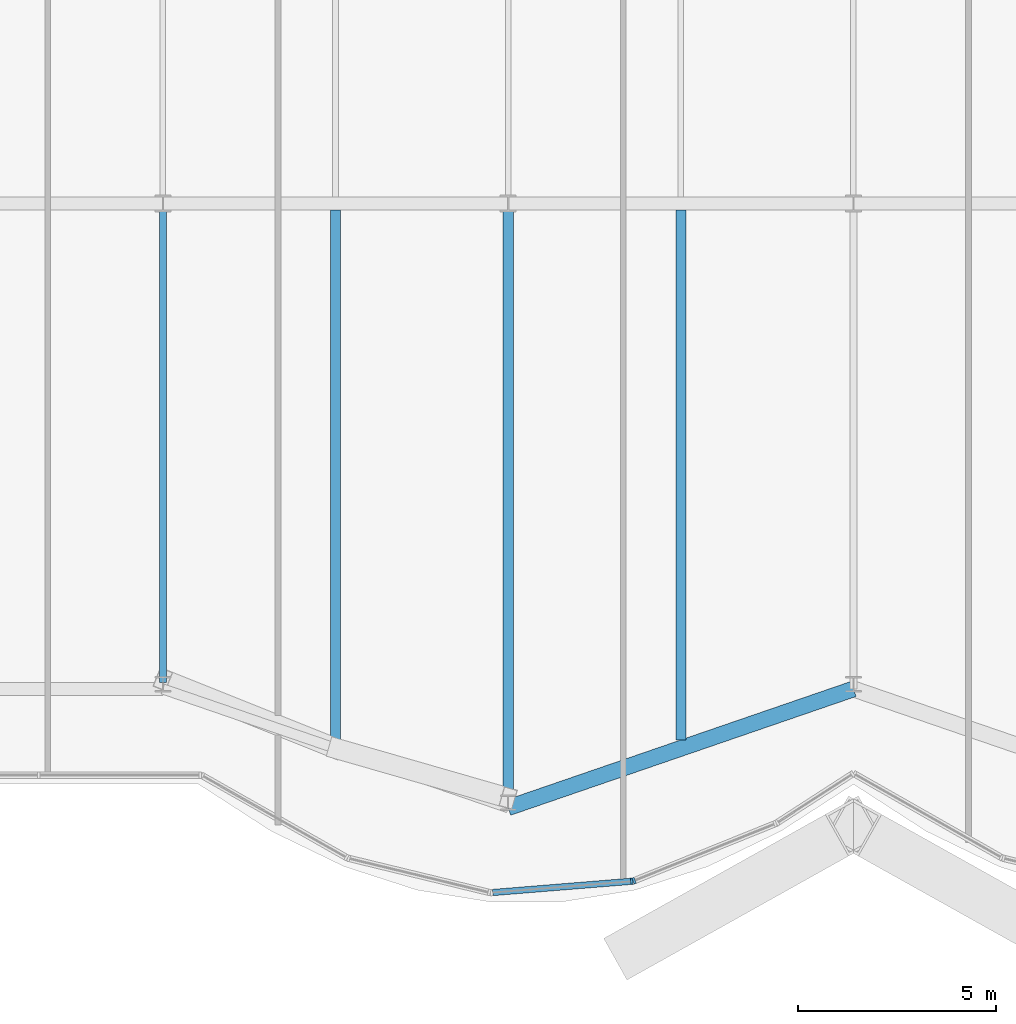
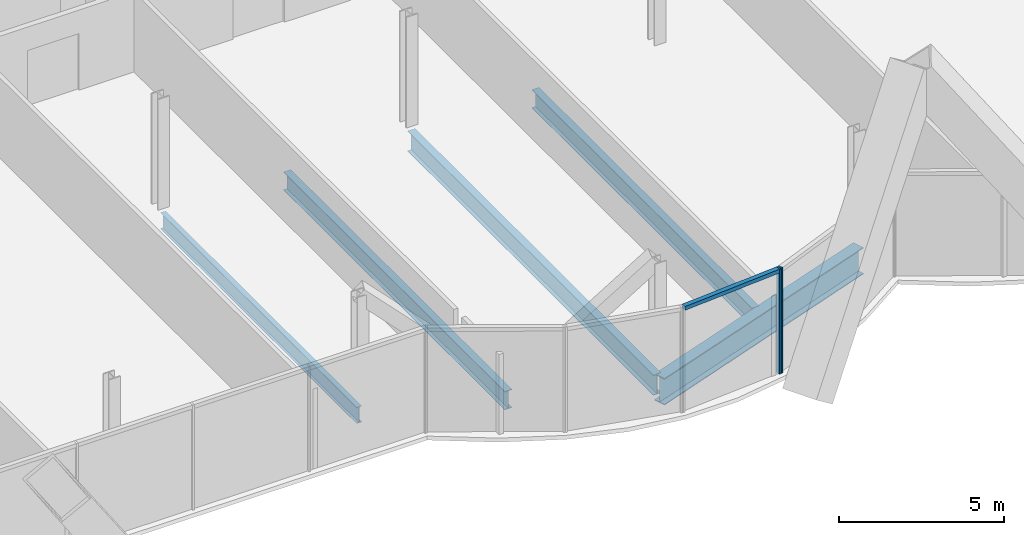
# One storey, part 5 of 21: 5 beams, 3 members, 1 element without a shape of its own.
"""IFC4 building model written with IfcOpenShell, lengths in metres."""

from ifc_helpers import new_model, si_unit, direction, frame, origin, origin_2d, place, context, subcontext, project, spatial, rectangle, i_section, extrude, material, material_profile, profile_set, type_object, element, aggregate, save


model = new_model("IFC4")

# Units and contexts
model_context = context("Model", 3, precision=1e-05, world=origin(), true_north=direction((0.0, 1.0)))
body_context = subcontext(model_context, "Body", "Model", "MODEL_VIEW")
ifc_project = project(units=[si_unit("LENGTHUNIT", "METRE"), si_unit("AREAUNIT", "SQUARE_METRE"), si_unit("VOLUMEUNIT", "CUBIC_METRE"), si_unit("PLANEANGLEUNIT", "RADIAN"), si_unit("MASSUNIT", "GRAM", prefix="KILO")], contexts=[model_context])

# Site, building, storey
site_placement = place(None, origin())
site = spatial("IfcSite", under=ifc_project, at=site_placement, CompositionType="ELEMENT")
building_placement = place(site_placement, origin())
building = spatial("IfcBuilding", under=site, at=building_placement, Name="Bicima Exchange Tower", CompositionType="ELEMENT")
storey_placement = place(building_placement, frame((0.0, 0.0, 130.89990234375)))
storey = spatial("IfcBuildingStorey", under=building, at=storey_placement, Name="L28", CompositionType="ELEMENT", Elevation=130.89990234375)

# Beams
ifc_material_1 = material(Name="Steel ASTM A992 Gr 50", Category="steel")
ifc_material_profile_1 = material_profile(ifc_material_1, i_section(OverallWidth=0.177978515625, OverallDepth=0.599365234375, WebThickness=0.010009765625, FlangeThickness=0.012939453125, at=origin_2d()))
ifc_profile_set_1 = profile_set([ifc_material_profile_1], Name="Steel ASTM A992 Gr 50")
beam_type_1 = type_object("IfcBeamType", Name="Floor beam W24x55", PredefinedType="JOIST", material=ifc_profile_set_1)
beam_1_placement = place(storey_placement, frame((-17.39990234375, -22.16259765625, -0.44970703125), z_axis=(0.0, -1.0, 0.0), x_axis=(1.0, 0.0, 0.0)))
element("IfcBeam", 1, at=beam_1_placement, inside=storey, type_object=beam_type_1, Name="Floor beam", PredefinedType="JOIST", context=body_context, shape_type="SweptSolid", body=[
    extrude(i_section(OverallWidth=0.177978515625, OverallDepth=0.599365234375, WebThickness=0.010009765625, FlangeThickness=0.012939453125, at=origin_2d()), origin(), (0.0, 0.0, 1.0), 11.90673828125),
])
ifc_material_profile_2 = material_profile(ifc_material_1, i_section(OverallWidth=0.25390625, OverallDepth=0.67822265625, WebThickness=0.01171875, FlangeThickness=0.016357421875, at=origin_2d()))
ifc_profile_set_2 = profile_set([ifc_material_profile_2], Name="Steel ASTM A992 Gr 50")
beam_type_2 = type_object("IfcBeamType", Name="Floor beam W27x84", PredefinedType="JOIST", material=ifc_profile_set_2)
beam_2_placement = place(storey_placement, frame((-13.050048828125, -22.16259765625, -0.489013671875), z_axis=(0.0, -1.0, 0.0), x_axis=(1.0, 0.0, 0.0)))
element("IfcBeam", 2, at=beam_2_placement, inside=storey, type_object=beam_type_2, Name="Floor beam", PredefinedType="JOIST", context=body_context, shape_type="SweptSolid", body=[
    extrude(i_section(OverallWidth=0.25390625, OverallDepth=0.67822265625, WebThickness=0.01171875, FlangeThickness=0.016357421875, at=origin_2d()), origin(), (0.0, 0.0, 1.0), 13.42919921875),
])
beam_3_placement = place(storey_placement, frame((-4.35009765625, -22.16259765625, -0.489013671875), z_axis=(0.0, -1.0, 0.0), x_axis=(1.0, 0.0, 0.0)))
element("IfcBeam", 3, at=beam_3_placement, inside=storey, type_object=beam_type_2, Name="Floor beam", PredefinedType="JOIST", context=body_context, shape_type="SweptSolid", body=[
    extrude(i_section(OverallWidth=0.25390625, OverallDepth=0.67822265625, WebThickness=0.01171875, FlangeThickness=0.016357421875, at=origin_2d()), origin(), (0.0, 0.0, 1.0), 13.352783203125),
])
ifc_material_profile_3 = material_profile(ifc_material_1, i_section(OverallWidth=0.2666015625, OverallDepth=0.75439453125, WebThickness=0.01318359375, FlangeThickness=0.01708984375, at=origin_2d()))
ifc_profile_set_3 = profile_set([ifc_material_profile_3], Name="Steel ASTM A992 Gr 50")
beam_type_3 = type_object("IfcBeamType", Name="Floor beam W30x99", PredefinedType="JOIST", material=ifc_profile_set_3)
beam_4_placement = place(storey_placement, frame((-8.699951171875, -22.16259765625, -0.527099609375), z_axis=(0.0, -1.0, 0.0), x_axis=(1.0, 0.0, 0.0)))
element("IfcBeam", 4, at=beam_4_placement, inside=storey, type_object=beam_type_3, Name="Floor beam", PredefinedType="JOIST", context=body_context, shape_type="SweptSolid", body=[
    extrude(i_section(OverallWidth=0.2666015625, OverallDepth=0.75439453125, WebThickness=0.01318359375, FlangeThickness=0.01708984375, at=origin_2d()), origin(), (0.0, 0.0, 1.0), 14.9248046875),
])
ifc_material_profile_4 = material_profile(ifc_material_1, i_section(OverallWidth=0.4013671875, OverallDepth=0.990478515625, WebThickness=0.0166015625, FlangeThickness=0.031005859375, at=origin_2d()))
ifc_profile_set_4 = profile_set([ifc_material_profile_4], Name="Steel ASTM A992 Gr 50")
beam_type_4 = type_object("IfcBeamType", Name="Front girder W40x215", PredefinedType="BEAM", material=ifc_profile_set_4)
beam_5_placement = place(storey_placement, frame((-8.699951171875, -37.22314453125, -0.645263671875), z_axis=(0.945666456746, 0.325138359143, 0.0), x_axis=(-0.325138359143, 0.945666456746, 0.0)))
element("IfcBeam", 5, at=beam_5_placement, inside=storey, type_object=beam_type_4, Name="Front girder", PredefinedType="BEAM", context=body_context, shape_type="SweptSolid", body=[
    extrude(i_section(OverallWidth=0.4013671875, OverallDepth=0.990478515625, WebThickness=0.0166015625, FlangeThickness=0.031005859375, at=origin_2d()), origin(), (0.0, 0.0, 1.0), 9.19970703125),
])

# Curtain wall, members
ifc_material_2 = material(Name="Anodised bronze aluminium", Category="aluminium")
curtain_wall_type = type_object("IfcCurtainWallType", Name="Front glass wall", PredefinedType="NOTDEFINED", material=ifc_material_2)
curtain_wall_placement = place(storey_placement, origin())
curtain_wall = element("IfcCurtainWall", 6, at=curtain_wall_placement, inside=storey, type_object=curtain_wall_type, Name="Front glass wall L28 run 6", PredefinedType="NOTDEFINED")
ifc_material_profile_5 = material_profile(ifc_material_2, rectangle(XDim=0.159912109375, YDim=0.06005859375, at=origin_2d()))
ifc_profile_set_5 = profile_set([ifc_material_profile_5], Name="Anodised bronze aluminium")
member_type_1 = type_object("IfcMemberType", Name="Front glass wall mullion 60 x 160", PredefinedType="MULLION", material=ifc_profile_set_5)
member_1_placement = place(storey_placement, frame((-5.583984375, -39.076904296875, 0.0), z_axis=(0.0, 0.0, 1.0), x_axis=(-0.080588612633, 0.99674744821, 0.0)))
member_1 = element("IfcMember", 7, at=member_1_placement, type_object=member_type_1, Name="Front glass wall mullion 2", PredefinedType="MULLION", context=body_context, shape_type="SweptSolid", body=[
    extrude(rectangle(XDim=0.159912109375, YDim=0.06005859375, at=origin_2d()), origin(), (0.0, 0.0, 1.0), 3.900146484375),
])
member_2_placement = place(storey_placement, frame((-5.526123046875, -39.063232421875, 0.0), z_axis=(0.0, 0.0, 1.0), x_axis=(-0.374705304, 0.92714396679, 0.0)))
member_2 = element("IfcMember", 8, at=member_2_placement, type_object=member_type_1, Name="Front glass wall mullion 1", PredefinedType="MULLION", context=body_context, shape_type="SweptSolid", body=[
    extrude(rectangle(XDim=0.159912109375, YDim=0.06005859375, at=origin_2d()), origin(), (0.0, 0.0, 1.0), 3.900146484375),
])
ifc_material_profile_6 = material_profile(ifc_material_2, rectangle(XDim=0.159912109375, YDim=0.139892578125, at=origin_2d()))
ifc_profile_set_6 = profile_set([ifc_material_profile_6], Name="Anodised bronze aluminium")
member_type_2 = type_object("IfcMemberType", Name="Front glass wall transom 140 x 160", PredefinedType="USERDEFINED", material=ifc_profile_set_6)
member_3_placement = place(storey_placement, frame((-9.08837890625, -39.360107421875, 3.830078125), z_axis=(0.9967456465, 0.080610893699, 0.0), x_axis=(-0.080610893699, 0.9967456465, 0.0)))
member_3 = element("IfcMember", 9, at=member_3_placement, type_object=member_type_2, Name="Front glass wall transom 1.1", ObjectType="TRANSOM", PredefinedType="USERDEFINED", context=body_context, shape_type="SweptSolid", body=[
    extrude(rectangle(XDim=0.159912109375, YDim=0.139892578125, at=origin_2d()), origin(), (0.0, 0.0, 1.0), 3.48583984375),
])
aggregate(curtain_wall, [member_1, member_3, member_2])

save(model, "model.ifc")
